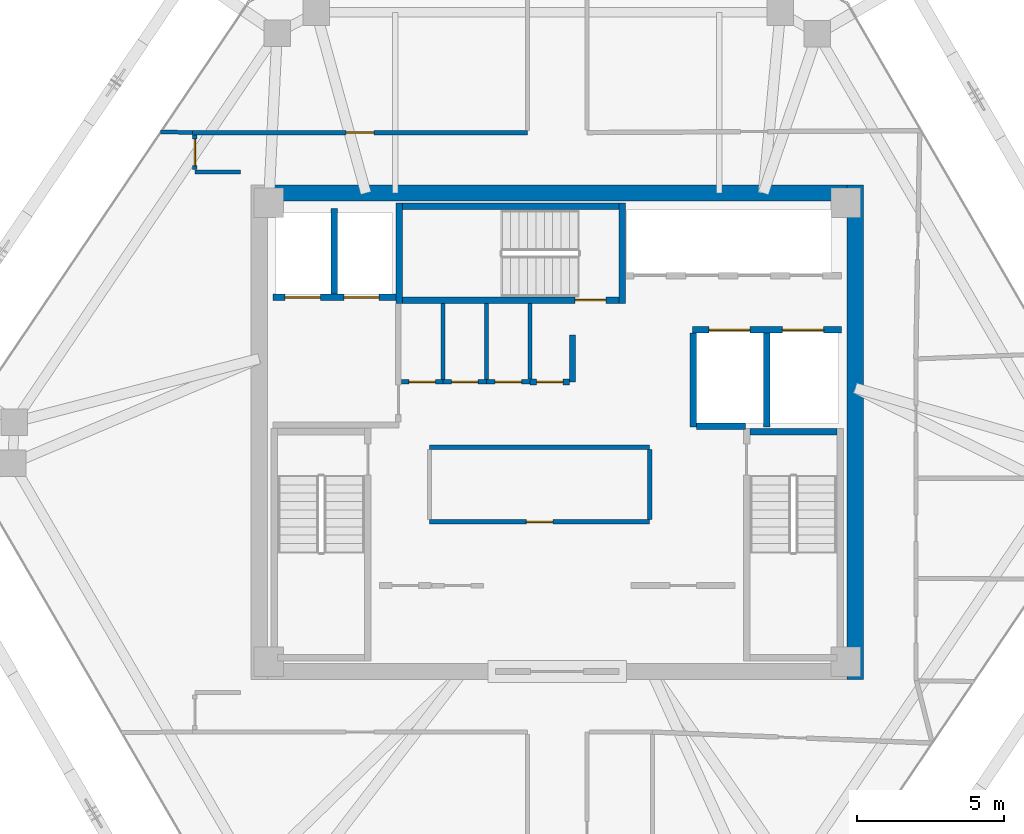
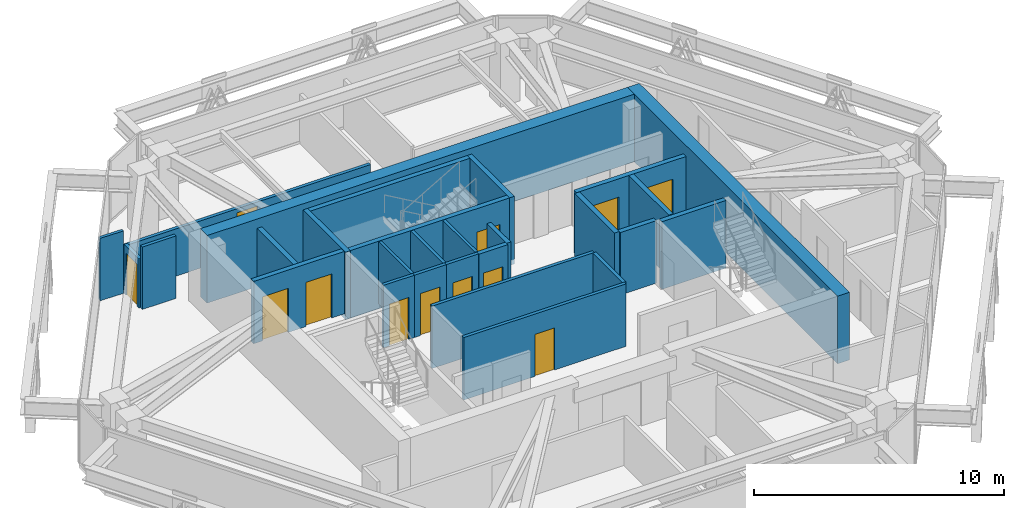
# One storey, part 10 of 12: 28 walls, 12 doors, 12 openings.
"""IFC4 building model written with IfcOpenShell, lengths in metres."""

from ifc_helpers import new_model, si_unit, direction, frame, frame_2d, origin, place, context, subcontext, project, spatial, rectangle, extrude, source, transform, mapped, material, layer, layer_set, type_object, type_shapes, element, fill, save


model = new_model("IFC4")

# Units and contexts
model_context = context("Model", 3, precision=1e-05, world=origin(), true_north=direction((0.0, 1.0)))
body_context = subcontext(model_context, "Body", "Model", "MODEL_VIEW")
ifc_project = project(units=[si_unit("LENGTHUNIT", "METRE"), si_unit("AREAUNIT", "SQUARE_METRE"), si_unit("VOLUMEUNIT", "CUBIC_METRE"), si_unit("PLANEANGLEUNIT", "RADIAN"), si_unit("MASSUNIT", "GRAM", prefix="KILO")], contexts=[model_context])

# Site, building, storey
site_placement = place(None, origin())
site = spatial("IfcSite", under=ifc_project, at=site_placement, CompositionType="ELEMENT")
building_placement = place(site_placement, origin())
building = spatial("IfcBuilding", under=site, at=building_placement, Name="Durnholm Broadcast Tower", CompositionType="ELEMENT")
storey_placement = place(building_placement, frame((0.0, 0.0, 221.60009765625)))
storey = spatial("IfcBuildingStorey", under=building, at=storey_placement, Name="L61", CompositionType="ELEMENT", Elevation=221.60009765625)

# Walls
ifc_material_1 = material(Name="Concrete C70/85", Category="concrete")
ifc_layer_1 = layer(ifc_material_1, 0.550048828125)
ifc_layer_set_1 = layer_set([ifc_layer_1], Name="Concrete C70/85")
wall_type_1 = type_object("IfcWallType", Name="WALL-CW-550", PredefinedType="SHEAR", material=ifc_layer_set_1)
wall_1_placement = place(storey_placement, frame((10.125, -8.39990234375, 0.0), z_axis=(0.0, 0.0, 1.0), x_axis=(0.0, 1.0, 0.0)))
element("IfcWall", 1, at=wall_1_placement, inside=storey, type_object=wall_type_1, Name="L61 central core shear wall CW-EAST", PredefinedType="SHEAR", context=body_context, shape_type="SweptSolid", body=[
    extrude(rectangle(XDim=16.7998046875, YDim=0.550048828125, at=frame_2d((8.39990234375, 0.0))), origin(), (0.0, 0.0, 1.0), 3.2998046875),
])
wall_2_placement = place(storey_placement, frame((-9.85009765625, 8.125, 0.0), z_axis=(0.0, 0.0, 1.0), x_axis=(1.0, 0.0, 0.0)))
element("IfcWall", 2, at=wall_2_placement, inside=storey, type_object=wall_type_1, Name="L61 central core shear wall CW-N", PredefinedType="SHEAR", context=body_context, shape_type="SweptSolid", body=[
    extrude(rectangle(XDim=19.7001953125, YDim=0.550048828125, at=frame_2d((9.85009765625, 0.0))), origin(), (0.0, 0.0, 1.0), 3.2998046875),
])
ifc_material_2 = material(Name="Fire-Rated Gypsum Shaftwall", Category="concrete")
ifc_layer_2 = layer(ifc_material_2, 0.199951171875)
ifc_layer_set_2 = layer_set([ifc_layer_2], Name="Fire-Rated Gypsum Shaftwall")
wall_type_2 = type_object("IfcWallType", Name="WALL-LOB-200", PredefinedType="SOLIDWALL", material=ifc_layer_set_2)
wall_3_placement = place(storey_placement, frame((0.52001953125, 3.300048828125, 0.0), z_axis=(0.0, 0.0, 1.0), x_axis=(0.0, -1.0, 0.0)))
element("IfcWall", 3, at=wall_3_placement, inside=storey, type_object=wall_type_2, Name="L61 Core Signal Sync Room corridor partition", PredefinedType="SOLIDWALL", context=body_context, shape_type="SweptSolid", body=[
    extrude(rectangle(XDim=1.590087890625, YDim=0.199951171875, at=frame_2d((0.794921875, 0.0))), origin(), (0.0, 0.0, 1.0), 3.044921875),
])

# Wall, opening, door
wall_4_placement = place(storey_placement, frame((0.416015625, 1.7099609375, 0.0), z_axis=(0.0, 0.0, 1.0), x_axis=(-1.0, 0.0, 0.0)))
wall_4 = element("IfcWall", 4, at=wall_4_placement, inside=storey, type_object=wall_type_2, Name="L61 Core Signal Sync Room corridor partition", PredefinedType="SOLIDWALL", context=body_context, shape_type="SweptSolid", body=[
    extrude(rectangle(XDim=1.3359375, YDim=0.199951171875, at=frame_2d((0.66796875, 0.0))), origin(), (0.0, 0.0, 1.0), 3.044921875),
])
opening_1_placement = place(wall_4_placement, frame((0.218017578125, 0.0, 0.0)))
opening_1 = element("IfcOpeningElement", 5, at=opening_1_placement, cuts=wall_4, Name="Opening DC-60L", PredefinedType="OPENING", context=body_context, shape_type="SweptSolid", body=[
    extrude(rectangle(XDim=0.89990234375, YDim=2.050048828125, at=frame_2d((0.449951171875, 1.02490234375))), frame((0.0, 0.10986328125, 0.0), z_axis=(0.0, -1.0, 0.0), x_axis=(1.0, 0.0, 0.0)), (0.0, 0.0, 1.0), 0.219970703125),
])
ifc_material_3 = material(Name="Fire-Rated Core Service Door", Category="steel")
ifc_layer_3 = layer(ifc_material_3, 0.050048828125)
ifc_layer_set_3 = layer_set([ifc_layer_3], Name="Fire-Rated Core Service Door")
door_type_1 = type_object("IfcDoorType", Name="DOOR-CORE-FD60-L", OperationType="NOTDEFINED", PredefinedType="DOOR", material=ifc_layer_set_3)
shared_shape_1 = source(origin(), body_context, "Body", "SweptSolid", [
    extrude(rectangle(XDim=0.89990234375, YDim=2.050048828125, at=frame_2d((0.449951171875, 1.02490234375))), frame((0.0, 0.02490234375, 0.0), z_axis=(0.0, -1.0, 0.0), x_axis=(1.0, 0.0, 0.0)), (0.0, 0.0, 1.0), 0.050048828125),
])
type_shapes(door_type_1, [shared_shape_1])
door_1_placement = place(opening_1_placement, origin())
door_1 = element("IfcDoor", 6, at=door_1_placement, inside=storey, type_object=door_type_1, Name="L61 Core Signal Sync Room entrance door", OperationType="SINGLE_SWING_LEFT", OverallHeight=2.050048828125, OverallWidth=0.89990234375, PredefinedType="DOOR", context=body_context, shape_type="MappedRepresentation", body=[
    mapped(shared_shape_1, transform((0.0, 0.0, 0.0), x_axis=(1.0, 0.0, 0.0), y_axis=(0.0, 1.0, 0.0), z_axis=(0.0, 0.0, 1.0), scale=1.0)),
])
fill(opening_1, door_1)

# Walls
ifc_material_4 = material(Name="Gypsum Metal Stud Partition", Category="concrete")
ifc_layer_4 = layer(ifc_material_4, 0.135009765625)
ifc_layer_set_4 = layer_set([ifc_layer_4], Name="Gypsum Metal Stud Partition")
wall_type_3 = type_object("IfcWallType", Name="WALL-PART-135", PredefinedType="PARTITIONING", material=ifc_layer_set_4)
for number, where, z_axis, x_axis, name in (
    (7, (-3.8798828125, 4.375, 0.0), (0.0, 0.0, 1.0), (0.0, -1.0, 0.0), "L61 room dividing partition 5.6"),
    (8, (-2.39990234375, 4.375, 0.0), (0.0, 0.0, 1.0), (0.0, -1.0, 0.0), "L61 room dividing partition 6.7"),
):
    element("IfcWall", number, at=place(storey_placement, frame(where, z_axis=z_axis, x_axis=x_axis)), inside=storey, type_object=wall_type_3, Name=name, PredefinedType="PARTITIONING", context=body_context, shape_type="SweptSolid", body=[
        extrude(rectangle(XDim=2.5859375, YDim=0.135009765625, at=frame_2d((1.29296875, 0.0))), origin(), (0.0, 0.0, 1.0), 3.044921875),
    ])
wall_5_placement = place(storey_placement, frame((-0.919921875, 4.375, 0.0), z_axis=(0.0, 0.0, 1.0), x_axis=(0.0, -1.0, 0.0)))
element("IfcWall", 9, at=wall_5_placement, inside=storey, type_object=wall_type_3, Name="L61 room dividing partition 7.8", PredefinedType="PARTITIONING", context=body_context, shape_type="SweptSolid", body=[
    extrude(rectangle(XDim=2.56103515625, YDim=0.135009765625, at=frame_2d((1.280517578125, 0.0))), origin(), (0.0, 0.0, 1.0), 3.044921875),
])
wall_6_placement = place(storey_placement, frame((-12.389892578125, 10.181396484375, 0.0), z_axis=(0.0, 0.0, 1.0), x_axis=(-0.999812128272, 0.019383192748, 0.0)))
element("IfcWall", 10, at=wall_6_placement, inside=storey, type_object=wall_type_3, Name="L61 room dividing partition 12.18", PredefinedType="PARTITIONING", context=body_context, shape_type="SweptSolid", body=[
    extrude(rectangle(XDim=1.083251953125, YDim=0.135009765625, at=frame_2d((0.54150390625, 0.0))), origin(), (0.0, 0.0, 1.0), 3.044921875),
])

# Wall, opening, door
ifc_material_5 = material(Name="Acoustic Gypsum Stud Partition", Category="concrete")
ifc_layer_5 = layer(ifc_material_5, 0.14990234375)
ifc_layer_set_5 = layer_set([ifc_layer_5], Name="Acoustic Gypsum Stud Partition")
wall_type_4 = type_object("IfcWallType", Name="WALL-PART-150", PredefinedType="PARTITIONING", material=ifc_layer_set_5)
wall_7_placement = place(storey_placement, frame((3.139892578125, -3.0400390625, 0.0), z_axis=(0.0, 0.0, 1.0), x_axis=(-1.0, 0.0, 0.0)))
wall_7 = element("IfcWall", 11, at=wall_7_placement, inside=storey, type_object=wall_type_4, Name="L61 Broadcast Equipment Pantry corridor partition", PredefinedType="PARTITIONING", context=body_context, shape_type="SweptSolid", body=[
    extrude(rectangle(XDim=7.47998046875, YDim=0.14990234375, at=frame_2d((3.739990234375, 0.0))), origin(), (0.0, 0.0, 1.0), 3.044921875),
])
opening_2_placement = place(wall_7_placement, frame((3.2900390625, 0.0, 0.0)))
opening_2 = element("IfcOpeningElement", 12, at=opening_2_placement, cuts=wall_7, Name="Opening DC-60L", PredefinedType="OPENING", context=body_context, shape_type="SweptSolid", body=[
    extrude(rectangle(XDim=0.89990234375, YDim=2.050048828125, at=frame_2d((0.449951171875, 1.02490234375))), frame((0.0, 0.0849609375, 0.0), z_axis=(0.0, -1.0, 0.0), x_axis=(1.0, 0.0, 0.0)), (0.0, 0.0, 1.0), 0.169921875),
])
door_2_placement = place(opening_2_placement, origin())
door_2 = element("IfcDoor", 13, at=door_2_placement, inside=storey, type_object=door_type_1, Name="L61 Broadcast Equipment Pantry entrance door", OperationType="SINGLE_SWING_LEFT", OverallHeight=2.050048828125, OverallWidth=0.89990234375, PredefinedType="DOOR", context=body_context, shape_type="MappedRepresentation", body=[
    mapped(shared_shape_1, transform((0.0, 0.0, 0.0), x_axis=(1.0, 0.0, 0.0), y_axis=(0.0, 1.0, 0.0), z_axis=(0.0, 0.0, 1.0), scale=1.0)),
])
fill(opening_2, door_2)

# Walls
wall_8_placement = place(storey_placement, frame((-4.340087890625, -0.510009765625, 0.0), z_axis=(0.0, 0.0, 1.0), x_axis=(1.0, 0.0, 0.0)))
element("IfcWall", 14, at=wall_8_placement, inside=storey, type_object=wall_type_4, Name="L61 Broadcast Equipment Pantry corridor partition", PredefinedType="PARTITIONING", context=body_context, shape_type="SweptSolid", body=[
    extrude(rectangle(XDim=7.47998046875, YDim=0.14990234375, at=frame_2d((3.739990234375, 0.0))), origin(), (0.0, 0.0, 1.0), 3.044921875),
])
wall_9_placement = place(storey_placement, frame((3.139892578125, -0.589111328125, 0.0), z_axis=(0.0, 0.0, 1.0), x_axis=(0.0, -1.0, 0.0)))
element("IfcWall", 15, at=wall_9_placement, inside=storey, type_object=wall_type_4, Name="L61 Broadcast Equipment Pantry corridor partition", PredefinedType="PARTITIONING", context=body_context, shape_type="SweptSolid", body=[
    extrude(rectangle(XDim=2.371826171875, YDim=0.14990234375, at=frame_2d((1.18603515625, 0.0))), origin(), (0.0, 0.0, 1.0), 3.044921875),
])

# Wall, opening, door
wall_10_placement = place(storey_placement, frame((-3.8798828125, 1.7099609375, 0.0), z_axis=(0.0, 0.0, 1.0), x_axis=(-1.0, 0.0, 0.0)))
wall_10 = element("IfcWall", 16, at=wall_10_placement, inside=storey, type_object=wall_type_4, Name="L61 Core First Aid Store corridor partition", PredefinedType="PARTITIONING", context=body_context, shape_type="SweptSolid", body=[
    extrude(rectangle(XDim=1.416015625, YDim=0.14990234375, at=frame_2d((0.7080078125, 0.0))), origin(), (0.0, 0.0, 1.0), 3.044921875),
])
opening_3_placement = place(wall_10_placement, frame((0.258056640625, 0.0, 0.0)))
opening_3 = element("IfcOpeningElement", 17, at=opening_3_placement, cuts=wall_10, Name="Opening DC-60R", PredefinedType="OPENING", context=body_context, shape_type="SweptSolid", body=[
    extrude(rectangle(XDim=0.89990234375, YDim=2.050048828125, at=frame_2d((0.449951171875, 1.02490234375))), frame((0.0, 0.0849609375, 0.0), z_axis=(0.0, -1.0, 0.0), x_axis=(1.0, 0.0, 0.0)), (0.0, 0.0, 1.0), 0.169921875),
])
ifc_layer_6 = layer(ifc_material_3, 0.050048828125)
ifc_layer_set_6 = layer_set([ifc_layer_6], Name="Fire-Rated Core Service Door")
door_type_2 = type_object("IfcDoorType", Name="DOOR-CORE-FD60-R", OperationType="NOTDEFINED", PredefinedType="DOOR", material=ifc_layer_set_6)
shared_shape_2 = source(origin(), body_context, "Body", "SweptSolid", [
    extrude(rectangle(XDim=0.89990234375, YDim=2.050048828125, at=frame_2d((0.449951171875, 1.02490234375))), frame((0.0, 0.02490234375, 0.0), z_axis=(0.0, -1.0, 0.0), x_axis=(1.0, 0.0, 0.0)), (0.0, 0.0, 1.0), 0.050048828125),
])
type_shapes(door_type_2, [shared_shape_2])
door_3_placement = place(opening_3_placement, origin())
door_3 = element("IfcDoor", 18, at=door_3_placement, inside=storey, type_object=door_type_2, Name="L61 Core First Aid Store entrance door", OperationType="SINGLE_SWING_RIGHT", OverallHeight=2.050048828125, OverallWidth=0.89990234375, PredefinedType="DOOR", context=body_context, shape_type="MappedRepresentation", body=[
    mapped(shared_shape_2, transform((0.0, 0.0, 0.0), x_axis=(1.0, 0.0, 0.0), y_axis=(0.0, 1.0, 0.0), z_axis=(0.0, 0.0, 1.0), scale=1.0)),
])
fill(opening_3, door_3)

wall_11_placement = place(storey_placement, frame((-2.39990234375, 1.7099609375, 0.0), z_axis=(0.0, 0.0, 1.0), x_axis=(-1.0, 0.0, 0.0)))
wall_11 = element("IfcWall", 19, at=wall_11_placement, inside=storey, type_object=wall_type_4, Name="L61 Core Linen Supply Closet corridor partition", PredefinedType="PARTITIONING", context=body_context, shape_type="SweptSolid", body=[
    extrude(rectangle(XDim=1.47998046875, YDim=0.14990234375, at=frame_2d((0.739990234375, 0.0))), origin(), (0.0, 0.0, 1.0), 3.044921875),
])
opening_4_placement = place(wall_11_placement, frame((0.2900390625, 0.0, 0.0)))
opening_4 = element("IfcOpeningElement", 20, at=opening_4_placement, cuts=wall_11, Name="Opening DC-60L", PredefinedType="OPENING", context=body_context, shape_type="SweptSolid", body=[
    extrude(rectangle(XDim=0.89990234375, YDim=2.050048828125, at=frame_2d((0.449951171875, 1.02490234375))), frame((0.0, 0.0849609375, 0.0), z_axis=(0.0, -1.0, 0.0), x_axis=(1.0, 0.0, 0.0)), (0.0, 0.0, 1.0), 0.169921875),
])
door_4_placement = place(opening_4_placement, origin())
door_4 = element("IfcDoor", 21, at=door_4_placement, inside=storey, type_object=door_type_1, Name="L61 Core Linen Supply Closet entrance door", OperationType="SINGLE_SWING_LEFT", OverallHeight=2.050048828125, OverallWidth=0.89990234375, PredefinedType="DOOR", context=body_context, shape_type="MappedRepresentation", body=[
    mapped(shared_shape_1, transform((0.0, 0.0, 0.0), x_axis=(1.0, 0.0, 0.0), y_axis=(0.0, 1.0, 0.0), z_axis=(0.0, 0.0, 1.0), scale=1.0)),
])
fill(opening_4, door_4)

wall_12_placement = place(storey_placement, frame((-0.919921875, 1.7099609375, 0.0), z_axis=(0.0, 0.0, 1.0), x_axis=(-1.0, 0.0, 0.0)))
wall_12 = element("IfcWall", 22, at=wall_12_placement, inside=storey, type_object=wall_type_4, Name="L61 Core Safety Gear Store corridor partition", PredefinedType="PARTITIONING", context=body_context, shape_type="SweptSolid", body=[
    extrude(rectangle(XDim=1.47998046875, YDim=0.14990234375, at=frame_2d((0.739990234375, 0.0))), origin(), (0.0, 0.0, 1.0), 3.044921875),
])
opening_5_placement = place(wall_12_placement, frame((0.2900390625, 0.0, 0.0)))
opening_5 = element("IfcOpeningElement", 23, at=opening_5_placement, cuts=wall_12, Name="Opening DC-60R", PredefinedType="OPENING", context=body_context, shape_type="SweptSolid", body=[
    extrude(rectangle(XDim=0.89990234375, YDim=2.050048828125, at=frame_2d((0.449951171875, 1.02490234375))), frame((0.0, 0.0849609375, 0.0), z_axis=(0.0, -1.0, 0.0), x_axis=(1.0, 0.0, 0.0)), (0.0, 0.0, 1.0), 0.169921875),
])
door_5_placement = place(opening_5_placement, origin())
door_5 = element("IfcDoor", 24, at=door_5_placement, inside=storey, type_object=door_type_2, Name="L61 Core Safety Gear Store entrance door", OperationType="SINGLE_SWING_RIGHT", OverallHeight=2.050048828125, OverallWidth=0.89990234375, PredefinedType="DOOR", context=body_context, shape_type="MappedRepresentation", body=[
    mapped(shared_shape_2, transform((0.0, 0.0, 0.0), x_axis=(1.0, 0.0, 0.0), y_axis=(0.0, 1.0, 0.0), z_axis=(0.0, 0.0, 1.0), scale=1.0)),
])
fill(opening_5, door_5)

wall_13_placement = place(storey_placement, frame((-1.010009765625, 10.179931640625, 0.0), z_axis=(0.0, 0.0, 1.0), x_axis=(-1.0, 0.0, 0.0)))
wall_13 = element("IfcWall", 25, at=wall_13_placement, inside=storey, type_object=wall_type_4, Name="L61 Open Plan Broadcast Workspace 2 corridor partition", PredefinedType="PARTITIONING", context=body_context, shape_type="SweptSolid", body=[
    extrude(rectangle(XDim=11.3798828125, YDim=0.14990234375, at=frame_2d((5.68994140625, 0.0))), origin(), (0.0, 0.0, 1.0), 2.30126953125),
])
opening_6_placement = place(wall_13_placement, frame((5.215087890625, 0.0, 0.0)))
opening_6 = element("IfcOpeningElement", 26, at=opening_6_placement, cuts=wall_13, Name="Opening DR-95L", PredefinedType="OPENING", context=body_context, shape_type="SweptSolid", body=[
    extrude(rectangle(XDim=0.949951171875, YDim=2.10009765625, at=frame_2d((0.47509765625, 1.050048828125))), frame((0.0, 0.0849609375, 0.0), z_axis=(0.0, -1.0, 0.0), x_axis=(1.0, 0.0, 0.0)), (0.0, 0.0, 1.0), 0.169921875),
])
ifc_material_6 = material(Name="Acoustic Oak Veneer Timber Door", Category="wood")
ifc_layer_7 = layer(ifc_material_6, 0.050048828125)
ifc_layer_set_7 = layer_set([ifc_layer_7], Name="Acoustic Oak Veneer Timber Door")
door_type_3 = type_object("IfcDoorType", Name="DOOR-RM-950L", OperationType="NOTDEFINED", PredefinedType="DOOR", material=ifc_layer_set_7)
shared_shape_3 = source(origin(), body_context, "Body", "SweptSolid", [
    extrude(rectangle(XDim=0.949951171875, YDim=2.10009765625, at=frame_2d((0.47509765625, 1.050048828125))), frame((0.0, 0.02490234375, 0.0), z_axis=(0.0, -1.0, 0.0), x_axis=(1.0, 0.0, 0.0)), (0.0, 0.0, 1.0), 0.050048828125),
])
type_shapes(door_type_3, [shared_shape_3])
door_6_placement = place(opening_6_placement, origin())
door_6 = element("IfcDoor", 27, at=door_6_placement, inside=storey, type_object=door_type_3, Name="L61 Open Plan Broadcast Workspace 2 entrance door", OperationType="SINGLE_SWING_LEFT", OverallHeight=2.10009765625, OverallWidth=0.949951171875, PredefinedType="DOOR", context=body_context, shape_type="MappedRepresentation", body=[
    mapped(shared_shape_3, transform((0.0, 0.0, 0.0), x_axis=(1.0, 0.0, 0.0), y_axis=(0.0, 1.0, 0.0), z_axis=(0.0, 0.0, 1.0), scale=1.0)),
])
fill(opening_6, door_6)

# Wall
wall_14_placement = place(storey_placement, frame((-12.31005859375, 8.840087890625, 0.0), z_axis=(0.0, 0.0, 1.0), x_axis=(1.0, 0.0, 0.0)))
element("IfcWall", 28, at=wall_14_placement, inside=storey, type_object=wall_type_4, Name="L61 Executive Board Auditorium corridor partition", PredefinedType="PARTITIONING", context=body_context, shape_type="SweptSolid", body=[
    extrude(rectangle(XDim=1.550048828125, YDim=0.14990234375, at=frame_2d((0.77490234375, 0.0))), origin(), (0.0, 0.0, 1.0), 3.044921875),
])

# Wall, opening, door
wall_15_placement = place(storey_placement, frame((-12.31005859375, 10.10107421875, 0.0), z_axis=(0.0, 0.0, 1.0), x_axis=(0.0, -1.0, 0.0)))
wall_15 = element("IfcWall", 29, at=wall_15_placement, inside=storey, type_object=wall_type_4, Name="L61 Executive Board Auditorium corridor partition", PredefinedType="PARTITIONING", context=body_context, shape_type="SweptSolid", body=[
    extrude(rectangle(XDim=1.18212890625, YDim=0.14990234375, at=frame_2d((0.591064453125, 0.0))), origin(), (0.0, 0.0, 1.0), 2.398681640625),
])
opening_7_placement = place(wall_15_placement, frame((0.14111328125, 0.0, 0.0)))
opening_7 = element("IfcOpeningElement", 30, at=opening_7_placement, cuts=wall_15, Name="Opening DW-90L", PredefinedType="OPENING", context=body_context, shape_type="SweptSolid", body=[
    extrude(rectangle(XDim=0.89990234375, YDim=2.050048828125, at=frame_2d((0.449951171875, 1.02490234375))), frame((0.0, 0.0849609375, 0.0), z_axis=(0.0, -1.0, 0.0), x_axis=(1.0, 0.0, 0.0)), (0.0, 0.0, 1.0), 0.169921875),
])
ifc_material_7 = material(Name="Laminate Restroom Door", Category="steel")
ifc_layer_8 = layer(ifc_material_7, 0.050048828125)
ifc_layer_set_8 = layer_set([ifc_layer_8], Name="Laminate Restroom Door")
door_type_4 = type_object("IfcDoorType", Name="DOOR-WC-900L", OperationType="NOTDEFINED", PredefinedType="DOOR", material=ifc_layer_set_8)
shared_shape_4 = source(origin(), body_context, "Body", "SweptSolid", [
    extrude(rectangle(XDim=0.89990234375, YDim=2.050048828125, at=frame_2d((0.449951171875, 1.02490234375))), frame((0.0, 0.02490234375, 0.0), z_axis=(0.0, -1.0, 0.0), x_axis=(1.0, 0.0, 0.0)), (0.0, 0.0, 1.0), 0.050048828125),
])
type_shapes(door_type_4, [shared_shape_4])
door_7_placement = place(opening_7_placement, origin())
door_7 = element("IfcDoor", 31, at=door_7_placement, inside=storey, type_object=door_type_4, Name="L61 Executive Board Auditorium entrance door", OperationType="SINGLE_SWING_LEFT", OverallHeight=2.050048828125, OverallWidth=0.89990234375, PredefinedType="DOOR", context=body_context, shape_type="MappedRepresentation", body=[
    mapped(shared_shape_4, transform((0.0, 0.0, 0.0), x_axis=(1.0, 0.0, 0.0), y_axis=(0.0, 1.0, 0.0), z_axis=(0.0, 0.0, 1.0), scale=1.0)),
])
fill(opening_7, door_7)

# Wall, openings, doors
ifc_material_8 = material(Name="Concrete Blockwork C30/37", Category="masonry")
ifc_layer_9 = layer(ifc_material_8, 0.219970703125)
ifc_layer_set_9 = layer_set([ifc_layer_9], Name="Concrete Blockwork C30/37")
wall_type_5 = type_object("IfcWallType", Name="WALL-SHAFT-220", PredefinedType="SOLIDWALL", material=ifc_layer_set_9)
wall_16_placement = place(storey_placement, frame((-9.64990234375, 4.580078125, 0.0), z_axis=(0.0, 0.0, 1.0), x_axis=(1.0, 0.0, 0.0)))
wall_16 = element("IfcWall", 32, at=wall_16_placement, inside=storey, type_object=wall_type_5, Name="L61 FSAE hoistway front fire wall", PredefinedType="SOLIDWALL", context=body_context, shape_type="SweptSolid", body=[
    extrude(rectangle(XDim=4.1748046875, YDim=0.219970703125, at=frame_2d((2.08740234375, 0.0))), origin(), (0.0, 0.0, 1.0), 3.044921875),
])
opening_8_placement = place(wall_16_placement, frame((0.39990234375, 0.0, 0.0)))
opening_8 = element("IfcOpeningElement", 33, at=opening_8_placement, cuts=wall_16, Name="Opening LD-FSAE-2", PredefinedType="OPENING", context=body_context, shape_type="SweptSolid", body=[
    extrude(rectangle(XDim=1.199951171875, YDim=2.14990234375, at=frame_2d((0.60009765625, 1.074951171875))), frame((0.0, 0.1201171875, 0.0), z_axis=(0.0, -1.0, 0.0), x_axis=(1.0, 0.0, 0.0)), (0.0, 0.0, 1.0), 0.239990234375),
])
opening_9_placement = place(wall_16_placement, frame((2.39990234375, 0.0, 0.0)))
opening_9 = element("IfcOpeningElement", 34, at=opening_9_placement, cuts=wall_16, Name="Opening LD-FSAE-1", PredefinedType="OPENING", context=body_context, shape_type="SweptSolid", body=[
    extrude(rectangle(XDim=1.199951171875, YDim=2.14990234375, at=frame_2d((0.60009765625, 1.074951171875))), frame((0.0, 0.1201171875, 0.0), z_axis=(0.0, -1.0, 0.0), x_axis=(1.0, 0.0, 0.0)), (0.0, 0.0, 1.0), 0.239990234375),
])
ifc_material_9 = material(Name="Fire Service Access Sliding Landing Door", Category="steel")
ifc_layer_10 = layer(ifc_material_9, 0.050048828125)
ifc_layer_set_10 = layer_set([ifc_layer_10], Name="Fire Service Access Sliding Landing Door")
door_type_5 = type_object("IfcDoorType", Name="DOOR-LIFT-FSAE", OperationType="DOUBLE_DOOR_SLIDING", PredefinedType="DOOR", material=ifc_layer_set_10)
shared_shape_5 = source(origin(), body_context, "Body", "SweptSolid", [
    extrude(rectangle(XDim=1.199951171875, YDim=2.14990234375, at=frame_2d((0.60009765625, 1.074951171875))), frame((0.0, 0.02490234375, 0.0), z_axis=(0.0, -1.0, 0.0), x_axis=(1.0, 0.0, 0.0)), (0.0, 0.0, 1.0), 0.050048828125),
])
type_shapes(door_type_5, [shared_shape_5])
door_8_placement = place(opening_8_placement, origin())
door_8 = element("IfcDoor", 35, at=door_8_placement, inside=storey, type_object=door_type_5, Name="L61 Fire Service Access Elevator FSAE-2 sliding landing door", OperationType="DOUBLE_DOOR_SLIDING", OverallHeight=2.14990234375, OverallWidth=1.199951171875, PredefinedType="DOOR", context=body_context, shape_type="MappedRepresentation", body=[
    mapped(shared_shape_5, transform((0.0, 0.0, 0.0), x_axis=(1.0, 0.0, 0.0), y_axis=(0.0, 1.0, 0.0), z_axis=(0.0, 0.0, 1.0), scale=1.0)),
])
fill(opening_8, door_8)
door_9_placement = place(opening_9_placement, origin())
door_9 = element("IfcDoor", 36, at=door_9_placement, inside=storey, type_object=door_type_5, Name="L61 Fire Service Access Elevator FSAE-1 sliding landing door", OperationType="DOUBLE_DOOR_SLIDING", OverallHeight=2.14990234375, OverallWidth=1.199951171875, PredefinedType="DOOR", context=body_context, shape_type="MappedRepresentation", body=[
    mapped(shared_shape_5, transform((0.0, 0.0, 0.0), x_axis=(1.0, 0.0, 0.0), y_axis=(0.0, 1.0, 0.0), z_axis=(0.0, 0.0, 1.0), scale=1.0)),
])
fill(opening_9, door_9)

# Wall
wall_17_placement = place(storey_placement, frame((-7.580078125, 4.694091796875, 0.0), z_axis=(0.0, 0.0, 1.0), x_axis=(0.0, 1.0, 0.0)))
element("IfcWall", 37, at=wall_17_placement, inside=storey, type_object=wall_type_5, Name="L61 FSAE shaft divider wall", PredefinedType="SOLIDWALL", context=body_context, shape_type="SweptSolid", body=[
    extrude(rectangle(XDim=2.906005859375, YDim=0.219970703125, at=frame_2d((1.453125, 0.0))), origin(), (0.0, 0.0, 1.0), 3.044921875),
])

# Wall, openings, doors
wall_18_placement = place(storey_placement, frame((4.60009765625, 3.47998046875, 0.0), z_axis=(0.0, 0.0, 1.0), x_axis=(1.0, 0.0, 0.0)))
wall_18 = element("IfcWall", 38, at=wall_18_placement, inside=storey, type_object=wall_type_5, Name="L61 freight service lifts north front wall", PredefinedType="SOLIDWALL", context=body_context, shape_type="SweptSolid", body=[
    extrude(rectangle(XDim=5.0498046875, YDim=0.219970703125, at=frame_2d((2.52490234375, 0.0))), origin(), (0.0, 0.0, 1.0), 3.044921875),
])
opening_10_placement = place(wall_18_placement, frame((0.550048828125, 0.0, 0.0)))
opening_10 = element("IfcOpeningElement", 39, at=opening_10_placement, cuts=wall_18, Name="Opening LD-SVL-2", PredefinedType="OPENING", context=body_context, shape_type="SweptSolid", body=[
    extrude(rectangle(XDim=1.39990234375, YDim=2.14990234375, at=frame_2d((0.699951171875, 1.074951171875))), frame((0.0, 0.1201171875, 0.0), z_axis=(0.0, -1.0, 0.0), x_axis=(1.0, 0.0, 0.0)), (0.0, 0.0, 1.0), 0.239990234375),
])
opening_11_placement = place(wall_18_placement, frame((3.050048828125, 0.0, 0.0)))
opening_11 = element("IfcOpeningElement", 40, at=opening_11_placement, cuts=wall_18, Name="Opening LD-SVL-1", PredefinedType="OPENING", context=body_context, shape_type="SweptSolid", body=[
    extrude(rectangle(XDim=1.39990234375, YDim=2.14990234375, at=frame_2d((0.699951171875, 1.074951171875))), frame((0.0, 0.1201171875, 0.0), z_axis=(0.0, -1.0, 0.0), x_axis=(1.0, 0.0, 0.0)), (0.0, 0.0, 1.0), 0.239990234375),
])
ifc_material_10 = material(Name="Freight Elevator Bi-Parting Sliding Landing Door", Category="steel")
ifc_layer_11 = layer(ifc_material_10, 0.050048828125)
ifc_layer_set_11 = layer_set([ifc_layer_11], Name="Freight Elevator Bi-Parting Sliding Landing Door")
door_type_6 = type_object("IfcDoorType", Name="DOOR-LIFT-SVL", OperationType="DOUBLE_DOOR_SLIDING", PredefinedType="DOOR", material=ifc_layer_set_11)
shared_shape_6 = source(origin(), body_context, "Body", "SweptSolid", [
    extrude(rectangle(XDim=1.39990234375, YDim=2.14990234375, at=frame_2d((0.699951171875, 1.074951171875))), frame((0.0, 0.02490234375, 0.0), z_axis=(0.0, -1.0, 0.0), x_axis=(1.0, 0.0, 0.0)), (0.0, 0.0, 1.0), 0.050048828125),
])
type_shapes(door_type_6, [shared_shape_6])
door_10_placement = place(opening_10_placement, origin())
door_10 = element("IfcDoor", 41, at=door_10_placement, inside=storey, type_object=door_type_6, Name="L61 freight service elevator SVL-2 sliding landing door", OperationType="DOUBLE_DOOR_SLIDING", OverallHeight=2.14990234375, OverallWidth=1.39990234375, PredefinedType="DOOR", context=body_context, shape_type="MappedRepresentation", body=[
    mapped(shared_shape_6, transform((0.0, 0.0, 0.0), x_axis=(1.0, 0.0, 0.0), y_axis=(0.0, 1.0, 0.0), z_axis=(0.0, 0.0, 1.0), scale=1.0)),
])
fill(opening_10, door_10)
door_11_placement = place(opening_11_placement, origin())
door_11 = element("IfcDoor", 42, at=door_11_placement, inside=storey, type_object=door_type_6, Name="L61 freight service elevator SVL-1 sliding landing door", OperationType="DOUBLE_DOOR_SLIDING", OverallHeight=2.14990234375, OverallWidth=1.39990234375, PredefinedType="DOOR", context=body_context, shape_type="MappedRepresentation", body=[
    mapped(shared_shape_6, transform((0.0, 0.0, 0.0), x_axis=(1.0, 0.0, 0.0), y_axis=(0.0, 1.0, 0.0), z_axis=(0.0, 0.0, 1.0), scale=1.0)),
])
fill(opening_11, door_11)

# Walls
for number, where, z_axis, x_axis, name in (
    (43, (4.6201171875, 0.179931640625, 0.0), (0.0, 0.0, 1.0), (0.0, 1.0, 0.0), "L61 freight service lift SVL-2 west wall"),
    (44, (7.1201171875, 0.179931640625, 0.0), (0.0, 0.0, 1.0), (0.0, 1.0, 0.0), "L61 freight service lifts divider wall"),
):
    element("IfcWall", number, at=place(storey_placement, frame(where, z_axis=z_axis, x_axis=x_axis)), inside=storey, type_object=wall_type_5, Name=name, PredefinedType="SOLIDWALL", context=body_context, shape_type="SweptSolid", body=[
        extrude(rectangle(XDim=3.18603515625, YDim=0.219970703125, at=frame_2d((1.593017578125, 0.0))), origin(), (0.0, 0.0, 1.0), 3.044921875),
    ])
wall_19_placement = place(storey_placement, frame((4.73388671875, 0.199951171875, 0.0), z_axis=(0.0, 0.0, 1.0), x_axis=(1.0, 0.0, 0.0)))
element("IfcWall", 45, at=wall_19_placement, inside=storey, type_object=wall_type_5, Name="L61 freight service lift SVL-2 south wall", PredefinedType="SOLIDWALL", context=body_context, shape_type="SweptSolid", body=[
    extrude(rectangle(XDim=1.666015625, YDim=0.219970703125, at=frame_2d((0.8330078125, 0.0))), origin(), (0.0, 0.0, 1.0), 3.044921875),
])
ifc_material_11 = material(Name="Concrete C50/60", Category="concrete")
ifc_layer_12 = layer(ifc_material_11, 0.219970703125)
ifc_layer_set_12 = layer_set([ifc_layer_12], Name="Concrete C50/60")
wall_type_6 = type_object("IfcWallType", Name="WALL-SW-220", PredefinedType="SHEAR", material=ifc_layer_set_12)
wall_20_placement = place(storey_placement, frame((9.5, 0.010009765625, -0.239990234375), z_axis=(0.0, 0.0, 1.0), x_axis=(-1.0, 0.0, 0.0)))
element("IfcWall", 46, at=wall_20_placement, inside=storey, type_object=wall_type_6, Name="L61 stair ST-2 structural shaft wall N", PredefinedType="SHEAR", context=body_context, shape_type="SweptSolid", body=[
    extrude(rectangle(XDim=2.9599609375, YDim=0.219970703125, at=frame_2d((1.47998046875, 0.0))), origin(), (0.0, 0.0, 1.0), 3.2998046875),
])
for number, where, z_axis, x_axis, name in (
    (47, (2.2099609375, 4.3798828125, -0.239990234375), (0.0, 0.0, 1.0), (0.0, 1.0, 0.0), "L61 stair ST-3 structural shaft wall E"),
    (48, (-5.360107421875, 7.780029296875, -0.239990234375), (0.0, 0.0, 1.0), (0.0, -1.0, 0.0), "L61 stair ST-3 structural shaft wall W"),
):
    element("IfcWall", number, at=place(storey_placement, frame(where, z_axis=z_axis, x_axis=x_axis)), inside=storey, type_object=wall_type_6, Name=name, PredefinedType="SHEAR", context=body_context, shape_type="SweptSolid", body=[
        extrude(rectangle(XDim=3.400146484375, YDim=0.219970703125, at=frame_2d((1.7001953125, 0.0))), origin(), (0.0, 0.0, 1.0), 3.2998046875),
    ])

# Wall, opening, door
wall_21_placement = place(storey_placement, frame((-5.25, 4.489990234375, -0.239990234375), z_axis=(0.0, 0.0, 1.0), x_axis=(1.0, 0.0, 0.0)))
wall_21 = element("IfcWall", 49, at=wall_21_placement, inside=storey, type_object=wall_type_6, Name="L61 stair ST-3 structural shaft wall S", PredefinedType="SHEAR", context=body_context, shape_type="SweptSolid", body=[
    extrude(rectangle(XDim=7.35009765625, YDim=0.219970703125, at=frame_2d((3.675048828125, 0.0))), origin(), (0.0, 0.0, 1.0), 3.2998046875),
])
opening_12_placement = place(wall_21_placement, frame((5.85009765625, 0.0, 0.0)))
opening_12 = element("IfcOpeningElement", 50, at=opening_12_placement, cuts=wall_21, Name="Opening DS-90L", PredefinedType="OPENING", context=body_context, shape_type="SweptSolid", body=[
    extrude(rectangle(XDim=1.050048828125, YDim=2.14990234375, at=frame_2d((0.52490234375, 1.074951171875))), frame((0.0, 0.1201171875, 0.0), z_axis=(0.0, -1.0, 0.0), x_axis=(1.0, 0.0, 0.0)), (0.0, 0.0, 1.0), 0.239990234375),
])
ifc_material_12 = material(Name="Fire-Rated Steel Door", Category="steel")
ifc_layer_13 = layer(ifc_material_12, 0.050048828125)
ifc_layer_set_13 = layer_set([ifc_layer_13], Name="Fire-Rated Steel Door")
door_type_7 = type_object("IfcDoorType", Name="DOOR-ST-FD90-L", OperationType="NOTDEFINED", PredefinedType="DOOR", material=ifc_layer_set_13)
shared_shape_7 = source(origin(), body_context, "Body", "SweptSolid", [
    extrude(rectangle(XDim=1.050048828125, YDim=2.14990234375, at=frame_2d((0.52490234375, 1.074951171875))), frame((0.0, 0.02490234375, 0.0), z_axis=(0.0, -1.0, 0.0), x_axis=(1.0, 0.0, 0.0)), (0.0, 0.0, 1.0), 0.050048828125),
])
type_shapes(door_type_7, [shared_shape_7])
door_12_placement = place(opening_12_placement, origin())
door_12 = element("IfcDoor", 51, at=door_12_placement, inside=storey, type_object=door_type_7, Name="L61 exit stair ST-3 fire door", OperationType="SINGLE_SWING_LEFT", OverallHeight=2.14990234375, OverallWidth=1.050048828125, PredefinedType="DOOR", context=body_context, shape_type="MappedRepresentation", body=[
    mapped(shared_shape_7, transform((0.0, 0.0, 0.0), x_axis=(1.0, 0.0, 0.0), y_axis=(0.0, 1.0, 0.0), z_axis=(0.0, 0.0, 1.0), scale=1.0)),
])
fill(opening_12, door_12)

# Wall
wall_22_placement = place(storey_placement, frame((2.10009765625, 7.669921875, -0.239990234375), z_axis=(0.0, 0.0, 1.0), x_axis=(-1.0, 0.0, 0.0)))
element("IfcWall", 52, at=wall_22_placement, inside=storey, type_object=wall_type_6, Name="L61 stair ST-3 structural shaft wall N", PredefinedType="SHEAR", context=body_context, shape_type="SweptSolid", body=[
    extrude(rectangle(XDim=7.35009765625, YDim=0.219970703125, at=frame_2d((3.675048828125, 0.0))), origin(), (0.0, 0.0, 1.0), 3.2998046875),
])

save(model, "model.ifc")
